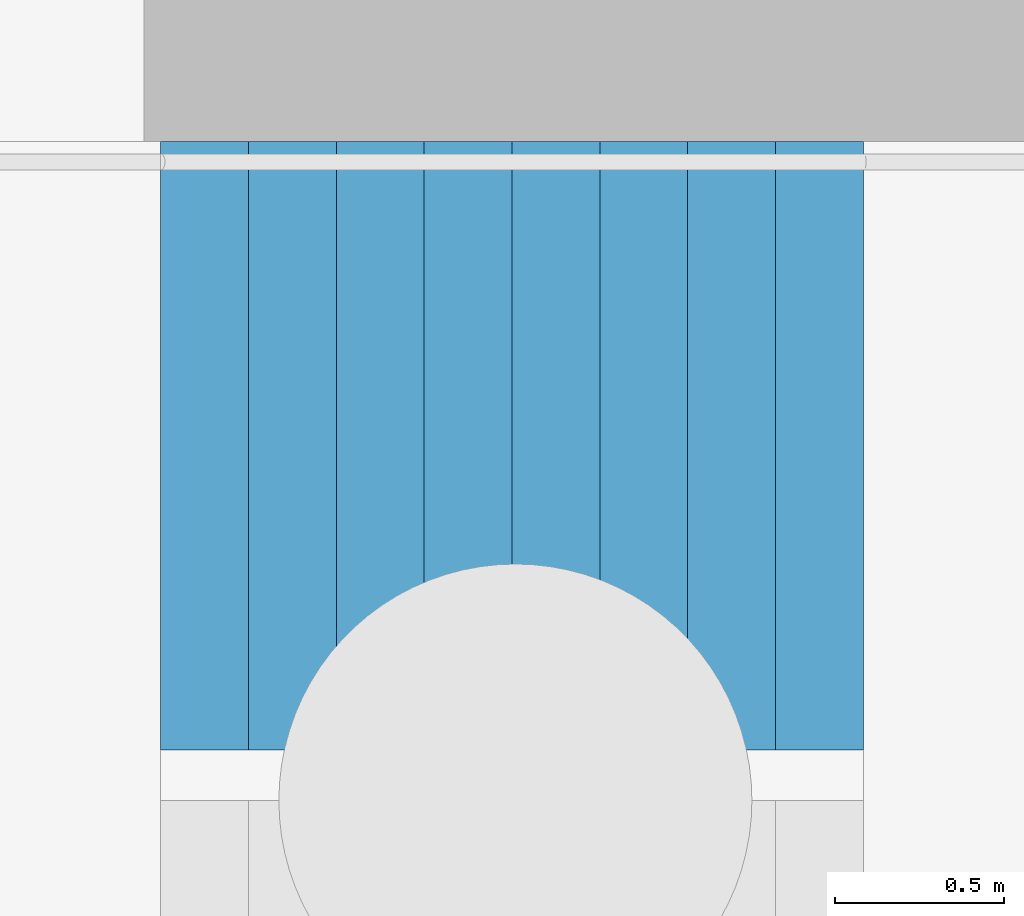
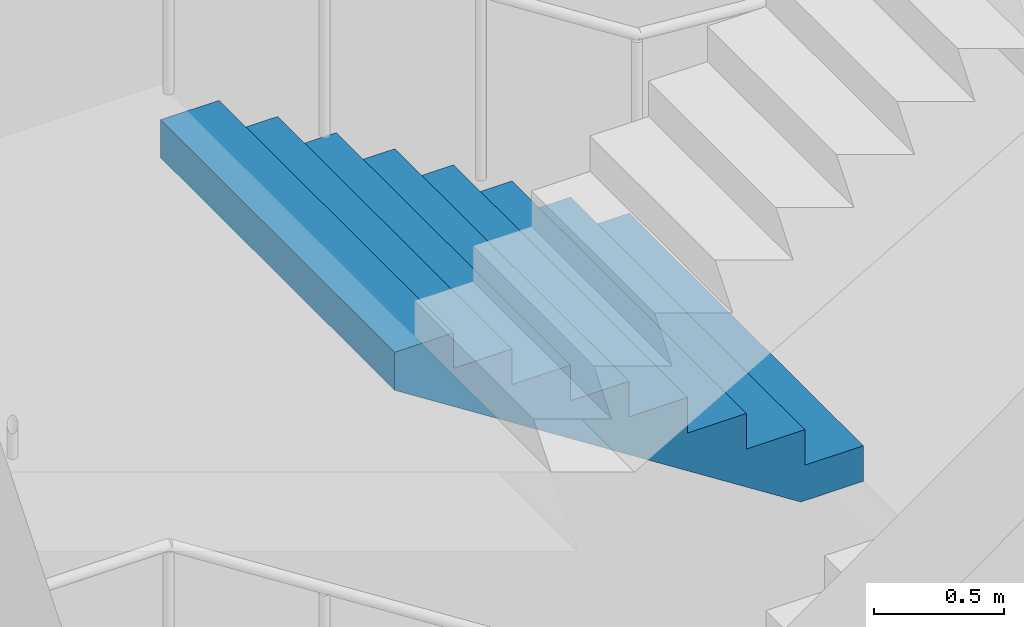
# One storey, part 62 of 113: 1 stair flight, 1 element without a shape of its own.
"""IFC4 building model written with IfcOpenShell, lengths in metres."""

from ifc_helpers import new_model, si_unit, direction, frame, origin, place, context, subcontext, project, spatial, triangles, material, type_object, element, aggregate, save


model = new_model("IFC4")

# Units and contexts
model_context = context("Model", 3, precision=1e-05, world=origin(), true_north=direction((0.0, 1.0)))
body_context = subcontext(model_context, "Body", "Model", "MODEL_VIEW")
ifc_project = project(units=[si_unit("LENGTHUNIT", "METRE"), si_unit("AREAUNIT", "SQUARE_METRE"), si_unit("VOLUMEUNIT", "CUBIC_METRE"), si_unit("PLANEANGLEUNIT", "RADIAN"), si_unit("MASSUNIT", "GRAM", prefix="KILO")], contexts=[model_context])

# Site, building, storey
site_placement = place(None, origin())
site = spatial("IfcSite", under=ifc_project, at=site_placement, CompositionType="ELEMENT")
building_placement = place(site_placement, origin())
building = spatial("IfcBuilding", under=site, at=building_placement, Name="Hakoniwa Tower and Hamabe Station Hall", CompositionType="ELEMENT")
storey_placement = place(building_placement, origin())
storey = spatial("IfcBuildingStorey", under=building, at=storey_placement, Name="L01", CompositionType="ELEMENT", Elevation=0.0)

# Stair, stair flight
ifc_material_1 = material(Name="Concrete C40", Category="concrete")
stair_type = type_object("IfcStairType", Name="ESCAPE STAIR 1800", PredefinedType="HALF_TURN_STAIR", material=ifc_material_1)
stair_placement = place(storey_placement, origin())
stair = element("IfcStair", 1, at=stair_placement, inside=storey, type_object=stair_type, Name="Escape stair ST-1 L01", PredefinedType="HALF_TURN_STAIR")
ifc_material_2 = material(Name="Concrete C40", Category="concrete")
stair_flight_type = type_object("IfcStairFlightType", Name="STAIR FLIGHT 1800", PredefinedType="STRAIGHT", material=ifc_material_2)
stair_flight_placement = place(storey_placement, frame((-22.320068359375, 6.60009765625, 4.5), z_axis=(0.0, 0.0, 1.0), x_axis=(-1.0, 0.0, 0.0)))
stair_flight = element("IfcStairFlight", 2, at=stair_flight_placement, type_object=stair_flight_type, Name="ST-1 flight 4", NumberOfRisers=9, NumberOfTreads=8, PredefinedType="STRAIGHT", RiserHeight=0.166666667, TreadLength=0.26, context=body_context, shape_type="Tessellation", body=[
    triangles([(0.0, 0.89990234375, 0.0), (0.260009765625, 0.89990234375, 0.0), (0.27783203125, 0.89990234375, 0.0), (0.52001953125, 0.89990234375, 0.1552734375), (0.780029296875, 0.89990234375, 0.322021484375), (1.0400390625, 0.89990234375, 0.488525390625), (1.300048828125, 0.89990234375, 0.6552734375), (1.56005859375, 0.89990234375, 0.822021484375), (1.820068359375, 0.89990234375, 0.988525390625), (2.080078125, 0.89990234375, 1.1552734375), (2.080078125, 0.89990234375, 1.333251953125), (1.820068359375, 0.89990234375, 1.333251953125), (1.820068359375, 0.89990234375, 1.166748046875), (1.56005859375, 0.89990234375, 1.166748046875), (1.56005859375, 0.89990234375, 1.0), (1.300048828125, 0.89990234375, 1.0), (1.300048828125, 0.89990234375, 0.833251953125), (1.0400390625, 0.89990234375, 0.833251953125), (1.0400390625, 0.89990234375, 0.666748046875), (0.780029296875, 0.89990234375, 0.666748046875), (0.780029296875, 0.89990234375, 0.5), (0.52001953125, 0.89990234375, 0.5), (0.52001953125, 0.89990234375, 0.333251953125), (0.27783203125, 0.89990234375, 0.333251953125), (0.260009765625, 0.89990234375, 0.333251953125), (0.260009765625, 0.89990234375, 0.166748046875), (0.0, 0.89990234375, 0.166748046875), (0.0, 0.06005859375, 0.0), (0.260009765625, 0.06005859375, 0.0), (0.27783203125, 0.06005859375, 0.0), (0.52001953125, 0.06005859375, 0.1552734375), (0.780029296875, 0.06005859375, 0.322021484375), (1.0400390625, 0.06005859375, 0.488525390625), (1.300048828125, 0.06005859375, 0.6552734375), (1.56005859375, 0.06005859375, 0.822021484375), (1.820068359375, 0.06005859375, 0.988525390625), (2.080078125, 0.06005859375, 1.1552734375), (2.080078125, 0.06005859375, 1.333251953125), (1.820068359375, 0.06005859375, 1.333251953125), (1.820068359375, 0.06005859375, 1.166748046875), (1.56005859375, 0.06005859375, 1.166748046875), (1.56005859375, 0.06005859375, 1.0), (1.300048828125, 0.06005859375, 1.0), (1.300048828125, 0.06005859375, 0.833251953125), (1.0400390625, 0.06005859375, 0.833251953125), (1.0400390625, 0.06005859375, 0.666748046875), (0.780029296875, 0.06005859375, 0.666748046875), (0.780029296875, 0.06005859375, 0.5), (0.52001953125, 0.06005859375, 0.5), (0.52001953125, 0.06005859375, 0.333251953125), (0.27783203125, 0.06005859375, 0.333251953125), (0.260009765625, 0.06005859375, 0.333251953125), (0.260009765625, 0.06005859375, 0.166748046875), (0.0, 0.06005859375, 0.166748046875), (0.0, 0.04296875, 0.0), (0.260009765625, 0.04296875, 0.0), (0.27783203125, 0.04296875, 0.0), (0.52001953125, 0.04296875, 0.1552734375), (0.780029296875, 0.04296875, 0.322021484375), (1.0400390625, 0.04296875, 0.488525390625), (1.300048828125, 0.04296875, 0.6552734375), (1.56005859375, 0.04296875, 0.822021484375), (1.820068359375, 0.04296875, 0.988525390625), (2.080078125, 0.04296875, 1.1552734375), (2.080078125, 0.04296875, 1.333251953125), (1.820068359375, 0.04296875, 1.333251953125), (1.820068359375, 0.04296875, 1.166748046875), (1.56005859375, 0.04296875, 1.166748046875), (1.56005859375, 0.04296875, 1.0), (1.300048828125, 0.04296875, 1.0), (1.300048828125, 0.04296875, 0.833251953125), (1.0400390625, 0.04296875, 0.833251953125), (1.0400390625, 0.04296875, 0.666748046875), (0.780029296875, 0.04296875, 0.666748046875), (0.780029296875, 0.04296875, 0.5), (0.52001953125, 0.04296875, 0.5), (0.52001953125, 0.04296875, 0.333251953125), (0.27783203125, 0.04296875, 0.333251953125), (0.260009765625, 0.04296875, 0.333251953125), (0.260009765625, 0.04296875, 0.166748046875), (0.0, 0.04296875, 0.166748046875), (0.0, 0.025634765625, 0.0), (0.260009765625, 0.025634765625, 0.0), (0.27783203125, 0.025634765625, 0.0), (0.52001953125, 0.025634765625, 0.1552734375), (0.780029296875, 0.025634765625, 0.322021484375), (1.0400390625, 0.025634765625, 0.488525390625), (1.300048828125, 0.025634765625, 0.6552734375), (1.56005859375, 0.025634765625, 0.822021484375), (1.820068359375, 0.025634765625, 0.988525390625), (2.080078125, 0.025634765625, 1.1552734375), (2.080078125, 0.025634765625, 1.333251953125), (1.820068359375, 0.025634765625, 1.333251953125), (1.820068359375, 0.025634765625, 1.166748046875), (1.56005859375, 0.025634765625, 1.166748046875), (1.56005859375, 0.025634765625, 1.0), (1.300048828125, 0.025634765625, 1.0), (1.300048828125, 0.025634765625, 0.833251953125), (1.0400390625, 0.025634765625, 0.833251953125), (1.0400390625, 0.025634765625, 0.666748046875), (0.780029296875, 0.025634765625, 0.666748046875), (0.780029296875, 0.025634765625, 0.5), (0.52001953125, 0.025634765625, 0.5), (0.52001953125, 0.025634765625, 0.333251953125), (0.27783203125, 0.025634765625, 0.333251953125), (0.260009765625, 0.025634765625, 0.333251953125), (0.260009765625, 0.025634765625, 0.166748046875), (0.0, 0.025634765625, 0.166748046875), (0.0, 0.008544921875, 0.0), (0.260009765625, 0.008544921875, 0.0), (0.27783203125, 0.008544921875, 0.0), (0.52001953125, 0.008544921875, 0.1552734375), (0.780029296875, 0.008544921875, 0.322021484375), (1.0400390625, 0.008544921875, 0.488525390625), (1.300048828125, 0.008544921875, 0.6552734375), (1.56005859375, 0.008544921875, 0.822021484375), (1.820068359375, 0.008544921875, 0.988525390625), (2.080078125, 0.008544921875, 1.1552734375), (2.080078125, 0.008544921875, 1.333251953125), (1.820068359375, 0.008544921875, 1.333251953125), (1.820068359375, 0.008544921875, 1.166748046875), (1.56005859375, 0.008544921875, 1.166748046875), (1.56005859375, 0.008544921875, 1.0), (1.300048828125, 0.008544921875, 1.0), (1.300048828125, 0.008544921875, 0.833251953125), (1.0400390625, 0.008544921875, 0.833251953125), (1.0400390625, 0.008544921875, 0.666748046875), (0.780029296875, 0.008544921875, 0.666748046875), (0.780029296875, 0.008544921875, 0.5), (0.52001953125, 0.008544921875, 0.5), (0.52001953125, 0.008544921875, 0.333251953125), (0.27783203125, 0.008544921875, 0.333251953125), (0.260009765625, 0.008544921875, 0.333251953125), (0.260009765625, 0.008544921875, 0.166748046875), (0.0, 0.008544921875, 0.166748046875), (0.0, -0.008544921875, 0.0), (0.260009765625, -0.008544921875, 0.0), (0.27783203125, -0.008544921875, 0.0), (0.52001953125, -0.008544921875, 0.1552734375), (0.780029296875, -0.008544921875, 0.322021484375), (1.0400390625, -0.008544921875, 0.488525390625), (1.300048828125, -0.008544921875, 0.6552734375), (1.56005859375, -0.008544921875, 0.822021484375), (1.820068359375, -0.008544921875, 0.988525390625), (2.080078125, -0.008544921875, 1.1552734375), (2.080078125, -0.008544921875, 1.333251953125), (1.820068359375, -0.008544921875, 1.333251953125), (1.820068359375, -0.008544921875, 1.166748046875), (1.56005859375, -0.008544921875, 1.166748046875), (1.56005859375, -0.008544921875, 1.0), (1.300048828125, -0.008544921875, 1.0), (1.300048828125, -0.008544921875, 0.833251953125), (1.0400390625, -0.008544921875, 0.833251953125), (1.0400390625, -0.008544921875, 0.666748046875), (0.780029296875, -0.008544921875, 0.666748046875), (0.780029296875, -0.008544921875, 0.5), (0.52001953125, -0.008544921875, 0.5), (0.52001953125, -0.008544921875, 0.333251953125), (0.27783203125, -0.008544921875, 0.333251953125), (0.260009765625, -0.008544921875, 0.333251953125), (0.260009765625, -0.008544921875, 0.166748046875), (0.0, -0.008544921875, 0.166748046875), (0.0, -0.025634765625, 0.0), (0.260009765625, -0.025634765625, 0.0), (0.27783203125, -0.025634765625, 0.0), (0.52001953125, -0.025634765625, 0.1552734375), (0.780029296875, -0.025634765625, 0.322021484375), (1.0400390625, -0.025634765625, 0.488525390625), (1.300048828125, -0.025634765625, 0.6552734375), (1.56005859375, -0.025634765625, 0.822021484375), (1.820068359375, -0.025634765625, 0.988525390625), (2.080078125, -0.025634765625, 1.1552734375), (2.080078125, -0.025634765625, 1.333251953125), (1.820068359375, -0.025634765625, 1.333251953125), (1.820068359375, -0.025634765625, 1.166748046875), (1.56005859375, -0.025634765625, 1.166748046875), (1.56005859375, -0.025634765625, 1.0), (1.300048828125, -0.025634765625, 1.0), (1.300048828125, -0.025634765625, 0.833251953125), (1.0400390625, -0.025634765625, 0.833251953125), (1.0400390625, -0.025634765625, 0.666748046875), (0.780029296875, -0.025634765625, 0.666748046875), (0.780029296875, -0.025634765625, 0.5), (0.52001953125, -0.025634765625, 0.5), (0.52001953125, -0.025634765625, 0.333251953125), (0.27783203125, -0.025634765625, 0.333251953125), (0.260009765625, -0.025634765625, 0.333251953125), (0.260009765625, -0.025634765625, 0.166748046875), (0.0, -0.025634765625, 0.166748046875), (0.0, -0.04296875, 0.0), (0.260009765625, -0.04296875, 0.0), (0.27783203125, -0.04296875, 0.0), (0.52001953125, -0.04296875, 0.1552734375), (0.780029296875, -0.04296875, 0.322021484375), (1.0400390625, -0.04296875, 0.488525390625), (1.300048828125, -0.04296875, 0.6552734375), (1.56005859375, -0.04296875, 0.822021484375), (1.820068359375, -0.04296875, 0.988525390625), (2.080078125, -0.04296875, 1.1552734375), (2.080078125, -0.04296875, 1.333251953125), (1.820068359375, -0.04296875, 1.333251953125), (1.820068359375, -0.04296875, 1.166748046875), (1.56005859375, -0.04296875, 1.166748046875), (1.56005859375, -0.04296875, 1.0), (1.300048828125, -0.04296875, 1.0), (1.300048828125, -0.04296875, 0.833251953125), (1.0400390625, -0.04296875, 0.833251953125), (1.0400390625, -0.04296875, 0.666748046875), (0.780029296875, -0.04296875, 0.666748046875), (0.780029296875, -0.04296875, 0.5), (0.52001953125, -0.04296875, 0.5), (0.52001953125, -0.04296875, 0.333251953125), (0.27783203125, -0.04296875, 0.333251953125), (0.260009765625, -0.04296875, 0.333251953125), (0.260009765625, -0.04296875, 0.166748046875), (0.0, -0.04296875, 0.166748046875), (0.0, -0.06005859375, 0.0), (0.260009765625, -0.06005859375, 0.0), (0.27783203125, -0.06005859375, 0.0), (0.52001953125, -0.06005859375, 0.1552734375), (0.780029296875, -0.06005859375, 0.322021484375), (1.0400390625, -0.06005859375, 0.488525390625), (1.300048828125, -0.06005859375, 0.6552734375), (1.56005859375, -0.06005859375, 0.822021484375), (1.820068359375, -0.06005859375, 0.988525390625), (2.080078125, -0.06005859375, 1.1552734375), (2.080078125, -0.06005859375, 1.333251953125), (1.820068359375, -0.06005859375, 1.333251953125), (1.820068359375, -0.06005859375, 1.166748046875), (1.56005859375, -0.06005859375, 1.166748046875), (1.56005859375, -0.06005859375, 1.0), (1.300048828125, -0.06005859375, 1.0), (1.300048828125, -0.06005859375, 0.833251953125), (1.0400390625, -0.06005859375, 0.833251953125), (1.0400390625, -0.06005859375, 0.666748046875), (0.780029296875, -0.06005859375, 0.666748046875), (0.780029296875, -0.06005859375, 0.5), (0.52001953125, -0.06005859375, 0.5), (0.52001953125, -0.06005859375, 0.333251953125), (0.27783203125, -0.06005859375, 0.333251953125), (0.260009765625, -0.06005859375, 0.333251953125), (0.260009765625, -0.06005859375, 0.166748046875), (0.0, -0.06005859375, 0.166748046875), (0.0, -0.89990234375, 0.0), (0.260009765625, -0.89990234375, 0.0), (0.27783203125, -0.89990234375, 0.0), (0.52001953125, -0.89990234375, 0.1552734375), (0.780029296875, -0.89990234375, 0.322021484375), (1.0400390625, -0.89990234375, 0.488525390625), (1.300048828125, -0.89990234375, 0.6552734375), (1.56005859375, -0.89990234375, 0.822021484375), (1.820068359375, -0.89990234375, 0.988525390625), (2.080078125, -0.89990234375, 1.1552734375), (2.080078125, -0.89990234375, 1.333251953125), (1.820068359375, -0.89990234375, 1.333251953125), (1.820068359375, -0.89990234375, 1.166748046875), (1.56005859375, -0.89990234375, 1.166748046875), (1.56005859375, -0.89990234375, 1.0), (1.300048828125, -0.89990234375, 1.0), (1.300048828125, -0.89990234375, 0.833251953125), (1.0400390625, -0.89990234375, 0.833251953125), (1.0400390625, -0.89990234375, 0.666748046875), (0.780029296875, -0.89990234375, 0.666748046875), (0.780029296875, -0.89990234375, 0.5), (0.52001953125, -0.89990234375, 0.5), (0.52001953125, -0.89990234375, 0.333251953125), (0.27783203125, -0.89990234375, 0.333251953125), (0.260009765625, -0.89990234375, 0.333251953125), (0.260009765625, -0.89990234375, 0.166748046875), (0.0, -0.89990234375, 0.166748046875)], [[2, 27, 26], [245, 269, 270], [2, 1, 27], [245, 270, 244], [3, 25, 24], [246, 267, 268], [3, 26, 25], [246, 268, 269], [3, 2, 26], [246, 269, 245], [4, 24, 23], [247, 266, 267], [4, 3, 24], [247, 267, 246], [5, 22, 21], [248, 264, 265], [5, 23, 22], [248, 265, 266], [5, 4, 23], [248, 266, 247], [6, 20, 19], [249, 262, 263], [6, 21, 20], [249, 263, 264], [6, 5, 21], [249, 264, 248], [7, 18, 17], [250, 260, 261], [7, 19, 18], [250, 261, 262], [7, 6, 19], [250, 262, 249], [8, 16, 15], [251, 258, 259], [8, 17, 16], [251, 259, 260], [8, 7, 17], [251, 260, 250], [9, 14, 13], [252, 256, 257], [9, 15, 14], [252, 257, 258], [9, 8, 15], [252, 258, 251], [10, 12, 11], [253, 254, 255], [10, 13, 12], [253, 255, 256], [10, 9, 13], [253, 256, 252], [1, 2, 29], [1, 29, 28], [28, 29, 56], [28, 56, 55], [55, 56, 83], [55, 83, 82], [82, 83, 110], [82, 110, 109], [109, 110, 137], [109, 137, 136], [136, 137, 164], [136, 164, 163], [163, 164, 191], [163, 191, 190], [190, 191, 218], [190, 218, 217], [217, 218, 245], [217, 245, 244], [2, 3, 30], [2, 30, 29], [29, 30, 57], [29, 57, 56], [56, 57, 84], [56, 84, 83], [83, 84, 111], [83, 111, 110], [110, 111, 138], [110, 138, 137], [137, 138, 165], [137, 165, 164], [164, 165, 192], [164, 192, 191], [191, 192, 219], [191, 219, 218], [218, 219, 246], [218, 246, 245], [3, 4, 31], [3, 31, 30], [30, 31, 58], [30, 58, 57], [57, 58, 85], [57, 85, 84], [84, 85, 112], [84, 112, 111], [111, 112, 139], [111, 139, 138], [138, 139, 166], [138, 166, 165], [165, 166, 193], [165, 193, 192], [192, 193, 220], [192, 220, 219], [219, 220, 247], [219, 247, 246], [4, 5, 32], [4, 32, 31], [31, 32, 59], [31, 59, 58], [58, 59, 86], [58, 86, 85], [85, 86, 113], [85, 113, 112], [112, 113, 140], [112, 140, 139], [139, 140, 167], [139, 167, 166], [166, 167, 194], [166, 194, 193], [193, 194, 221], [193, 221, 220], [220, 221, 248], [220, 248, 247], [5, 6, 33], [5, 33, 32], [32, 33, 60], [32, 60, 59], [59, 60, 87], [59, 87, 86], [86, 87, 114], [86, 114, 113], [113, 114, 141], [113, 141, 140], [140, 141, 168], [140, 168, 167], [167, 168, 195], [167, 195, 194], [194, 195, 222], [194, 222, 221], [221, 222, 249], [221, 249, 248], [6, 7, 34], [6, 34, 33], [33, 34, 61], [33, 61, 60], [60, 61, 88], [60, 88, 87], [87, 88, 115], [87, 115, 114], [114, 115, 142], [114, 142, 141], [141, 142, 169], [141, 169, 168], [168, 169, 196], [168, 196, 195], [195, 196, 223], [195, 223, 222], [222, 223, 250], [222, 250, 249], [7, 8, 35], [7, 35, 34], [34, 35, 62], [34, 62, 61], [61, 62, 89], [61, 89, 88], [88, 89, 116], [88, 116, 115], [115, 116, 143], [115, 143, 142], [142, 143, 170], [142, 170, 169], [169, 170, 197], [169, 197, 196], [196, 197, 224], [196, 224, 223], [223, 224, 251], [223, 251, 250], [8, 9, 36], [8, 36, 35], [35, 36, 63], [35, 63, 62], [62, 63, 90], [62, 90, 89], [89, 90, 117], [89, 117, 116], [116, 117, 144], [116, 144, 143], [143, 144, 171], [143, 171, 170], [170, 171, 198], [170, 198, 197], [197, 198, 225], [197, 225, 224], [224, 225, 252], [224, 252, 251], [9, 10, 37], [9, 37, 36], [36, 37, 64], [36, 64, 63], [63, 64, 91], [63, 91, 90], [90, 91, 118], [90, 118, 117], [117, 118, 145], [117, 145, 144], [144, 145, 172], [144, 172, 171], [171, 172, 199], [171, 199, 198], [198, 199, 226], [198, 226, 225], [225, 226, 253], [225, 253, 252], [10, 11, 38], [10, 38, 37], [37, 38, 65], [37, 65, 64], [64, 65, 92], [64, 92, 91], [91, 92, 119], [91, 119, 118], [118, 119, 146], [118, 146, 145], [145, 146, 173], [145, 173, 172], [172, 173, 200], [172, 200, 199], [199, 200, 227], [199, 227, 226], [226, 227, 254], [226, 254, 253], [11, 12, 39], [11, 39, 38], [38, 39, 66], [38, 66, 65], [65, 66, 93], [65, 93, 92], [92, 93, 120], [92, 120, 119], [119, 120, 147], [119, 147, 146], [146, 147, 174], [146, 174, 173], [173, 174, 201], [173, 201, 200], [200, 201, 228], [200, 228, 227], [227, 228, 255], [227, 255, 254], [12, 13, 40], [12, 40, 39], [39, 40, 67], [39, 67, 66], [66, 67, 94], [66, 94, 93], [93, 94, 121], [93, 121, 120], [120, 121, 148], [120, 148, 147], [147, 148, 175], [147, 175, 174], [174, 175, 202], [174, 202, 201], [201, 202, 229], [201, 229, 228], [228, 229, 256], [228, 256, 255], [13, 14, 41], [13, 41, 40], [40, 41, 68], [40, 68, 67], [67, 68, 95], [67, 95, 94], [94, 95, 122], [94, 122, 121], [121, 122, 149], [121, 149, 148], [148, 149, 176], [148, 176, 175], [175, 176, 203], [175, 203, 202], [202, 203, 230], [202, 230, 229], [229, 230, 257], [229, 257, 256], [14, 15, 42], [14, 42, 41], [41, 42, 69], [41, 69, 68], [68, 69, 96], [68, 96, 95], [95, 96, 123], [95, 123, 122], [122, 123, 150], [122, 150, 149], [149, 150, 177], [149, 177, 176], [176, 177, 204], [176, 204, 203], [203, 204, 231], [203, 231, 230], [230, 231, 258], [230, 258, 257], [15, 16, 43], [15, 43, 42], [42, 43, 70], [42, 70, 69], [69, 70, 97], [69, 97, 96], [96, 97, 124], [96, 124, 123], [123, 124, 151], [123, 151, 150], [150, 151, 178], [150, 178, 177], [177, 178, 205], [177, 205, 204], [204, 205, 232], [204, 232, 231], [231, 232, 259], [231, 259, 258], [16, 17, 44], [16, 44, 43], [43, 44, 71], [43, 71, 70], [70, 71, 98], [70, 98, 97], [97, 98, 125], [97, 125, 124], [124, 125, 152], [124, 152, 151], [151, 152, 179], [151, 179, 178], [178, 179, 206], [178, 206, 205], [205, 206, 233], [205, 233, 232], [232, 233, 260], [232, 260, 259], [17, 18, 45], [17, 45, 44], [44, 45, 72], [44, 72, 71], [71, 72, 99], [71, 99, 98], [98, 99, 126], [98, 126, 125], [125, 126, 153], [125, 153, 152], [152, 153, 180], [152, 180, 179], [179, 180, 207], [179, 207, 206], [206, 207, 234], [206, 234, 233], [233, 234, 261], [233, 261, 260], [18, 19, 46], [18, 46, 45], [45, 46, 73], [45, 73, 72], [72, 73, 100], [72, 100, 99], [99, 100, 127], [99, 127, 126], [126, 127, 154], [126, 154, 153], [153, 154, 181], [153, 181, 180], [180, 181, 208], [180, 208, 207], [207, 208, 235], [207, 235, 234], [234, 235, 262], [234, 262, 261], [19, 20, 47], [19, 47, 46], [46, 47, 74], [46, 74, 73], [73, 74, 101], [73, 101, 100], [100, 101, 128], [100, 128, 127], [127, 128, 155], [127, 155, 154], [154, 155, 182], [154, 182, 181], [181, 182, 209], [181, 209, 208], [208, 209, 236], [208, 236, 235], [235, 236, 263], [235, 263, 262], [20, 21, 48], [20, 48, 47], [47, 48, 75], [47, 75, 74], [74, 75, 102], [74, 102, 101], [101, 102, 129], [101, 129, 128], [128, 129, 156], [128, 156, 155], [155, 156, 183], [155, 183, 182], [182, 183, 210], [182, 210, 209], [209, 210, 237], [209, 237, 236], [236, 237, 264], [236, 264, 263], [21, 22, 49], [21, 49, 48], [48, 49, 76], [48, 76, 75], [75, 76, 103], [75, 103, 102], [102, 103, 130], [102, 130, 129], [129, 130, 157], [129, 157, 156], [156, 157, 184], [156, 184, 183], [183, 184, 211], [183, 211, 210], [210, 211, 238], [210, 238, 237], [237, 238, 265], [237, 265, 264], [22, 23, 50], [22, 50, 49], [49, 50, 77], [49, 77, 76], [76, 77, 104], [76, 104, 103], [103, 104, 131], [103, 131, 130], [130, 131, 158], [130, 158, 157], [157, 158, 185], [157, 185, 184], [184, 185, 212], [184, 212, 211], [211, 212, 239], [211, 239, 238], [238, 239, 266], [238, 266, 265], [23, 24, 51], [23, 51, 50], [50, 51, 78], [50, 78, 77], [77, 78, 105], [77, 105, 104], [104, 105, 132], [104, 132, 131], [131, 132, 159], [131, 159, 158], [158, 159, 186], [158, 186, 185], [185, 186, 213], [185, 213, 212], [212, 213, 240], [212, 240, 239], [239, 240, 267], [239, 267, 266], [24, 25, 52], [24, 52, 51], [51, 52, 79], [51, 79, 78], [78, 79, 106], [78, 106, 105], [105, 106, 133], [105, 133, 132], [132, 133, 160], [132, 160, 159], [159, 160, 187], [159, 187, 186], [186, 187, 214], [186, 214, 213], [213, 214, 241], [213, 241, 240], [240, 241, 268], [240, 268, 267], [25, 26, 53], [25, 53, 52], [52, 53, 80], [52, 80, 79], [79, 80, 107], [79, 107, 106], [106, 107, 134], [106, 134, 133], [133, 134, 161], [133, 161, 160], [160, 161, 188], [160, 188, 187], [187, 188, 215], [187, 215, 214], [214, 215, 242], [214, 242, 241], [241, 242, 269], [241, 269, 268], [26, 27, 54], [26, 54, 53], [53, 54, 81], [53, 81, 80], [80, 81, 108], [80, 108, 107], [107, 108, 135], [107, 135, 134], [134, 135, 162], [134, 162, 161], [161, 162, 189], [161, 189, 188], [188, 189, 216], [188, 216, 215], [215, 216, 243], [215, 243, 242], [242, 243, 270], [242, 270, 269], [27, 1, 28], [27, 28, 54], [54, 28, 55], [54, 55, 81], [81, 55, 82], [81, 82, 108], [108, 82, 109], [108, 109, 135], [135, 109, 136], [135, 136, 162], [162, 136, 163], [162, 163, 189], [189, 163, 190], [189, 190, 216], [216, 190, 217], [216, 217, 243], [243, 217, 244], [243, 244, 270]], closed=True),
])
aggregate(stair, [stair_flight])

save(model, "model.ifc")
